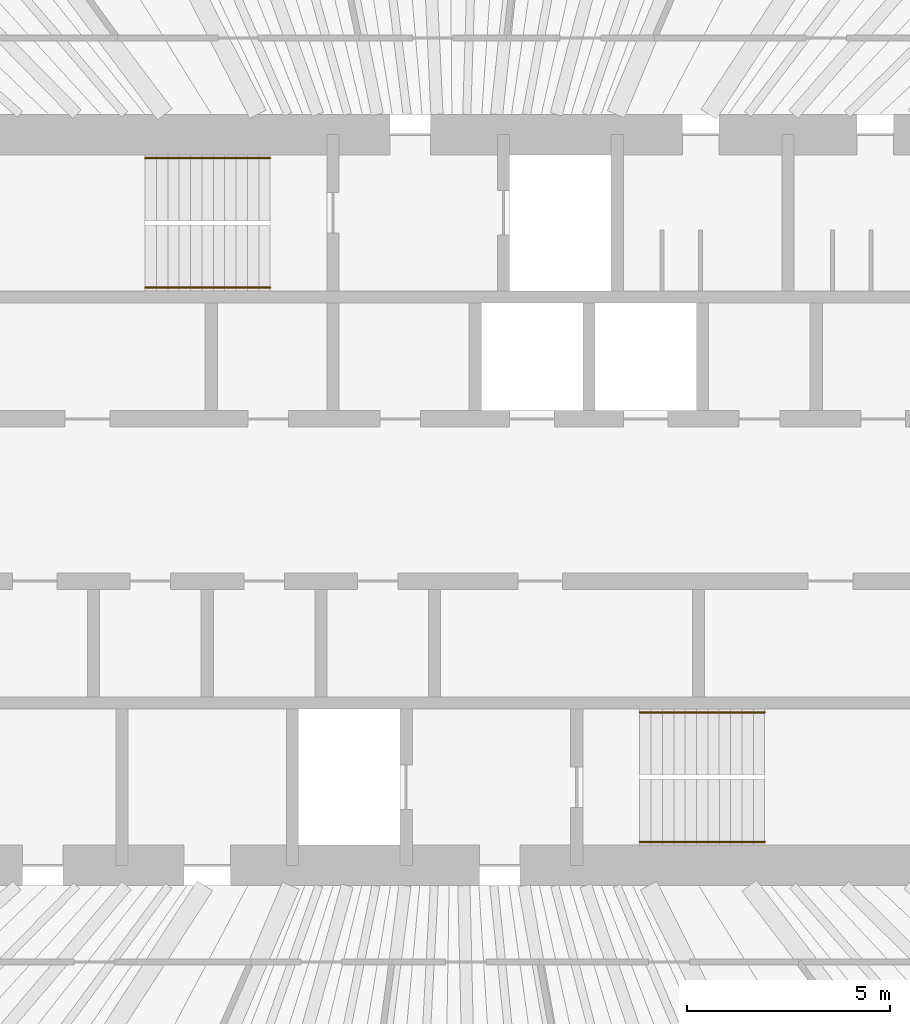
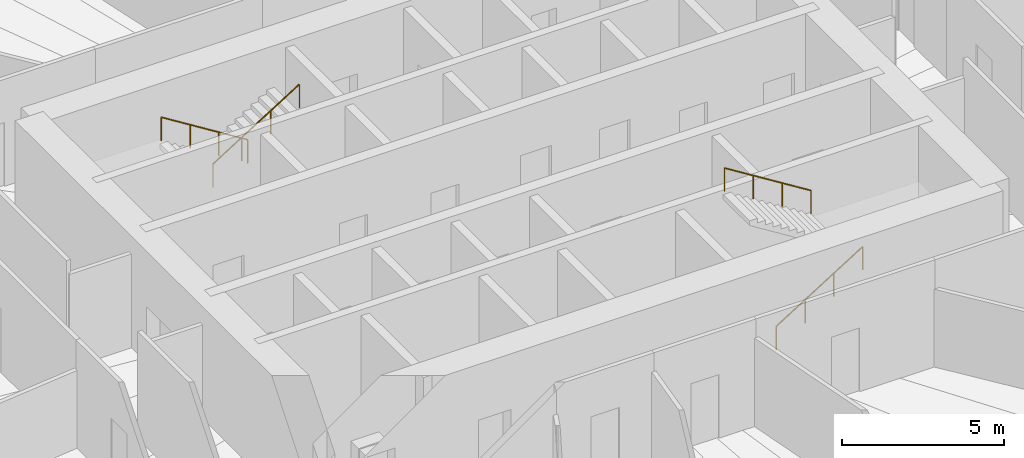
# One storey, part 14 of 14: 4 railings.
"""IFC4 building model written with IfcOpenShell, lengths in metres."""

from ifc_helpers import new_model, si_unit, direction, frame, origin, origin_2d, place, context, subcontext, project, spatial, circle, extrude, material, type_object, element, save


model = new_model("IFC4")

# Units and contexts
model_context = context("Model", 3, precision=1e-05, world=origin(), true_north=direction((0.0, 1.0)))
body_context = subcontext(model_context, "Body", "Model", "MODEL_VIEW")
ifc_project = project(units=[si_unit("LENGTHUNIT", "METRE"), si_unit("AREAUNIT", "SQUARE_METRE"), si_unit("VOLUMEUNIT", "CUBIC_METRE"), si_unit("PLANEANGLEUNIT", "RADIAN"), si_unit("MASSUNIT", "GRAM", prefix="KILO")], contexts=[model_context])

# Site, building, storey
site_placement = place(None, origin())
site = spatial("IfcSite", under=ifc_project, at=site_placement, CompositionType="ELEMENT")
building_placement = place(site_placement, origin())
building = spatial("IfcBuilding", under=site, at=building_placement, Name="Qingtian Harvest Tower", CompositionType="ELEMENT")
storey_placement = place(building_placement, frame((0.0, 0.0, 283.0)))
storey = spatial("IfcBuildingStorey", under=building, at=storey_placement, Name="L62", CompositionType="ELEMENT", Elevation=283.0)

# Railings
ifc_material = material(Name="Stainless steel handrail", Category="steel")
railing_type = type_object("IfcRailingType", Name="Handrail HR1", PredefinedType="HANDRAIL", material=ifc_material)
railing_1_placement = place(storey_placement, frame((-4.550048828125, 8.419921875, 0.175048828125)))
element("IfcRailing", 1, at=railing_1_placement, inside=storey, type_object=railing_type, Name="Handrail HR1 S1 flight 1", PredefinedType="HANDRAIL", context=body_context, shape_type="SweptSolid", body=[
    extrude(circle(Radius=0.02392578125, at=origin_2d()), frame((0.0, 0.0, 0.8759765625), z_axis=(-0.847979421464, 0.0, 0.530029150871), x_axis=(0.0, -1.0, 0.0)), (0.0, 0.0, 1.0), 3.632080078125),
    extrude(circle(Radius=0.02099609375, at=origin_2d()), origin(), (0.0, 0.0, 1.0), 0.851806640625),
    extrude(circle(Radius=0.02099609375, at=origin_2d()), frame((-1.026611328125, 0.0, 0.6416015625)), (0.0, 0.0, 1.0), 0.851806640625),
    extrude(circle(Radius=0.02099609375, at=origin_2d()), frame((-2.05322265625, 0.0, 1.283447265625)), (0.0, 0.0, 1.0), 0.851806640625),
    extrude(circle(Radius=0.02099609375, at=origin_2d()), frame((-3.079833984375, 0.0, 1.925048828125)), (0.0, 0.0, 1.0), 0.851806640625),
])
for number, where, name in (
    (2, (-7.6298828125, 5.22998046875, 2.27490234375), "Handrail HR1 S1 flight 2"),
    (3, (4.550048828125, -8.419921875, 0.175048828125), "Handrail HR1 S2 flight 1"),
):
    element("IfcRailing", number, at=place(storey_placement, frame(where)), inside=storey, type_object=railing_type, Name=name, PredefinedType="HANDRAIL", context=body_context, shape_type="SweptSolid", body=[
        extrude(circle(Radius=0.02392578125, at=origin_2d()), frame((0.0, 0.0, 0.8759765625), z_axis=(0.847979421464, 0.0, 0.530029150871), x_axis=(0.0, 1.0, 0.0)), (0.0, 0.0, 1.0), 3.632080078125),
        extrude(circle(Radius=0.02099609375, at=origin_2d()), origin(), (0.0, 0.0, 1.0), 0.851806640625),
        extrude(circle(Radius=0.02099609375, at=origin_2d()), frame((1.026611328125, 0.0, 0.6416015625)), (0.0, 0.0, 1.0), 0.851806640625),
        extrude(circle(Radius=0.02099609375, at=origin_2d()), frame((2.05322265625, 0.0, 1.283447265625)), (0.0, 0.0, 1.0), 0.851806640625),
        extrude(circle(Radius=0.02099609375, at=origin_2d()), frame((3.079833984375, 0.0, 1.925048828125)), (0.0, 0.0, 1.0), 0.851806640625),
    ])
railing_2_placement = place(storey_placement, frame((7.6298828125, -5.22998046875, 2.27490234375)))
element("IfcRailing", 4, at=railing_2_placement, inside=storey, type_object=railing_type, Name="Handrail HR1 S2 flight 2", PredefinedType="HANDRAIL", context=body_context, shape_type="SweptSolid", body=[
    extrude(circle(Radius=0.02392578125, at=origin_2d()), frame((0.0, 0.0, 0.8759765625), z_axis=(-0.847979421464, 0.0, 0.530029150871), x_axis=(0.0, -1.0, 0.0)), (0.0, 0.0, 1.0), 3.632080078125),
    extrude(circle(Radius=0.02099609375, at=origin_2d()), origin(), (0.0, 0.0, 1.0), 0.851806640625),
    extrude(circle(Radius=0.02099609375, at=origin_2d()), frame((-1.026611328125, 0.0, 0.6416015625)), (0.0, 0.0, 1.0), 0.851806640625),
    extrude(circle(Radius=0.02099609375, at=origin_2d()), frame((-2.05322265625, 0.0, 1.283447265625)), (0.0, 0.0, 1.0), 0.851806640625),
    extrude(circle(Radius=0.02099609375, at=origin_2d()), frame((-3.079833984375, 0.0, 1.925048828125)), (0.0, 0.0, 1.0), 0.851806640625),
])

save(model, "model.ifc")
